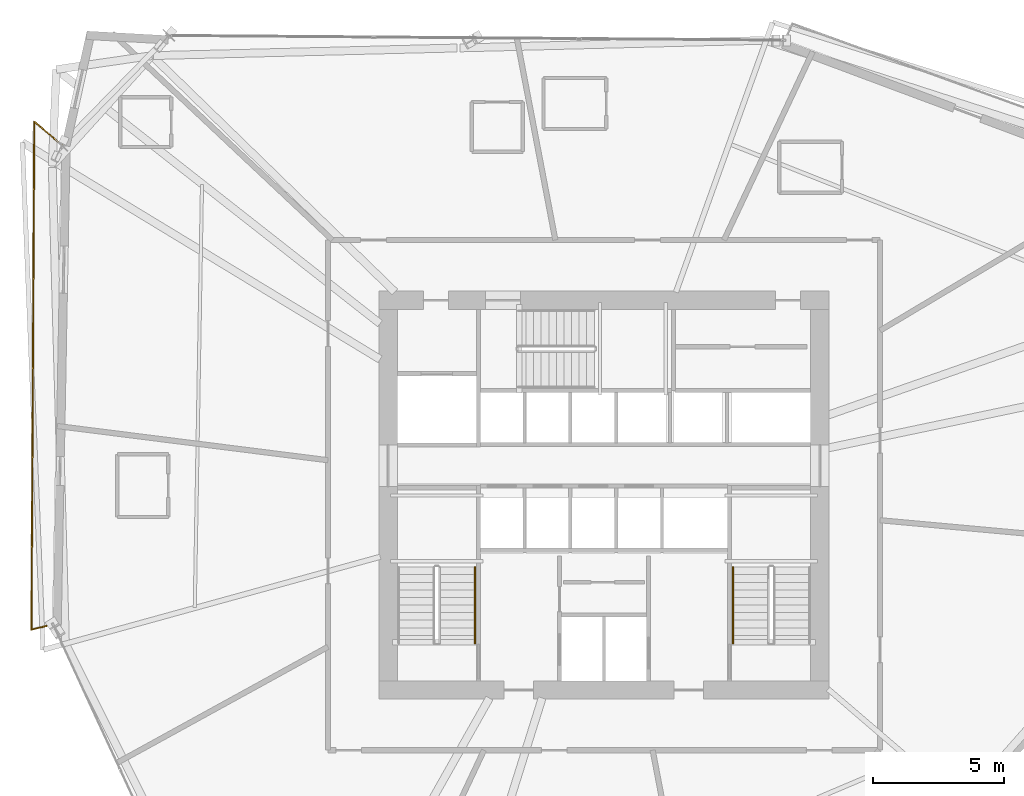
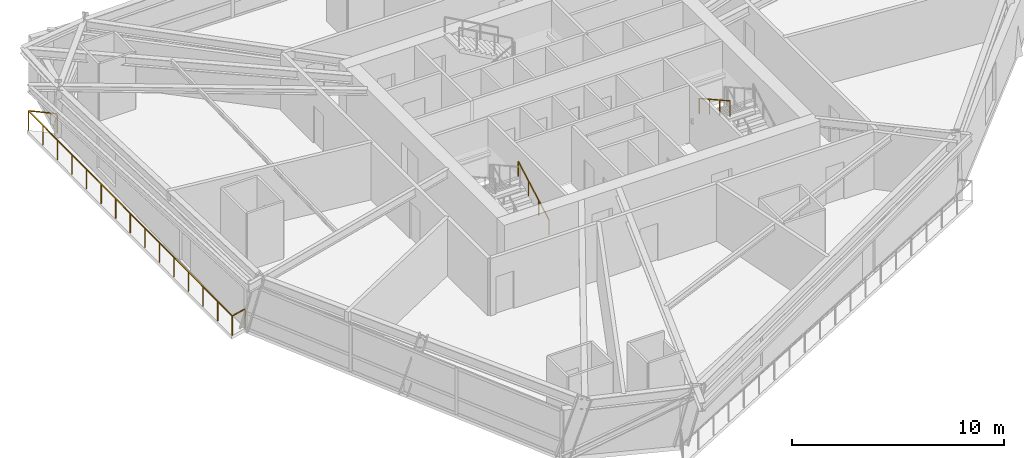
# One storey, part 20 of 22: 3 railings.
"""IFC4 building model written with IfcOpenShell, lengths in metres."""

from ifc_helpers import new_model, si_unit, direction, frame, origin, origin_2d, place, context, subcontext, project, spatial, rectangle, extrude, material, type_object, element, save


model = new_model("IFC4")

# Units and contexts
model_context = context("Model", 3, precision=1e-05, world=origin(), true_north=direction((0.0, 1.0)))
body_context = subcontext(model_context, "Body", "Model", "MODEL_VIEW")
ifc_project = project(units=[si_unit("LENGTHUNIT", "METRE"), si_unit("AREAUNIT", "SQUARE_METRE"), si_unit("VOLUMEUNIT", "CUBIC_METRE"), si_unit("PLANEANGLEUNIT", "RADIAN"), si_unit("MASSUNIT", "GRAM", prefix="KILO")], contexts=[model_context])

# Site, building, storey
site_placement = place(None, origin())
site = spatial("IfcSite", under=ifc_project, at=site_placement, CompositionType="ELEMENT")
building_placement = place(site_placement, origin())
building = spatial("IfcBuilding", under=site, at=building_placement, Name="Olszyna Solenne Hotel", CompositionType="ELEMENT")
storey_placement = place(building_placement, frame((0.0, 0.0, 95.050048828125)))
storey = spatial("IfcBuildingStorey", under=building, at=storey_placement, Name="L24", CompositionType="ELEMENT", Elevation=95.050048828125)

# Railings
ifc_material_1 = material(Name="Anodised bronze aluminium", Category="aluminium")
railing_type_1 = type_object("IfcRailingType", Name="GR-110", PredefinedType="BALUSTRADE", material=ifc_material_1)
railing_1_placement = place(storey_placement, frame((17.278564453125, 39.982421875, 0.0)))
element("IfcRailing", 1, at=railing_1_placement, inside=storey, type_object=railing_type_1, Name="Loggia balcony balustrade guard GR-L24-LG2", PredefinedType="BALUSTRADE", context=body_context, shape_type="SweptSolid", body=[
    extrude(rectangle(XDim=0.048095703125, YDim=0.048095703125, at=origin_2d()), frame((0.0, 0.0, 1.1259765625), z_axis=(-0.762297375152, 0.64722693998, 0.0), x_axis=(-0.64722693998, -0.762297375152, 0.0)), (0.0, 0.0, 1.0), 1.379150390625),
    extrude(rectangle(XDim=0.048095703125, YDim=0.048095703125, at=origin_2d()), frame((-1.05126953125, 0.892578125, 1.1259765625), z_axis=(-0.005595918468, -0.999984342726, 0.0), x_axis=(0.999984342726, -0.005595918468, 0.0)), (0.0, 0.0, 1.0), 19.41455078125),
    extrude(rectangle(XDim=0.048095703125, YDim=0.048095703125, at=origin_2d()), frame((-1.159912109375, -18.521728515625, 1.1259765625), z_axis=(0.972227285219, 0.234038684569, 0.0), x_axis=(-0.234038684569, 0.972227285219, 0.0)), (0.0, 0.0, 1.0), 0.845947265625),
    extrude(rectangle(XDim=0.0419921875, YDim=0.0419921875, at=origin_2d()), origin(), (0.0, 0.0, 1.0), 1.101806640625),
    extrude(rectangle(XDim=0.0419921875, YDim=0.0419921875, at=origin_2d()), frame((-1.05126953125, 0.892578125, 0.0)), (0.0, 0.0, 1.0), 1.101806640625),
    extrude(rectangle(XDim=0.0419921875, YDim=0.0419921875, at=origin_2d()), frame((-1.05908203125, -0.494140625, 0.0)), (0.0, 0.0, 1.0), 1.101806640625),
    extrude(rectangle(XDim=0.0419921875, YDim=0.0419921875, at=origin_2d()), frame((-1.06689453125, -1.880859375, 0.0)), (0.0, 0.0, 1.0), 1.101806640625),
    extrude(rectangle(XDim=0.0419921875, YDim=0.0419921875, at=origin_2d()), frame((-1.074462890625, -3.267578125, 0.0)), (0.0, 0.0, 1.0), 1.101806640625),
    extrude(rectangle(XDim=0.0419921875, YDim=0.0419921875, at=origin_2d()), frame((-1.082275390625, -4.654296875, 0.0)), (0.0, 0.0, 1.0), 1.101806640625),
    extrude(rectangle(XDim=0.0419921875, YDim=0.0419921875, at=origin_2d()), frame((-1.090087890625, -6.041015625, 0.0)), (0.0, 0.0, 1.0), 1.101806640625),
    extrude(rectangle(XDim=0.0419921875, YDim=0.0419921875, at=origin_2d()), frame((-1.097900390625, -7.427734375, 0.0)), (0.0, 0.0, 1.0), 1.101806640625),
    extrude(rectangle(XDim=0.0419921875, YDim=0.0419921875, at=origin_2d()), frame((-1.10546875, -8.814453125, 0.0)), (0.0, 0.0, 1.0), 1.101806640625),
    extrude(rectangle(XDim=0.0419921875, YDim=0.0419921875, at=origin_2d()), frame((-1.11328125, -10.201416015625, 0.0)), (0.0, 0.0, 1.0), 1.101806640625),
    extrude(rectangle(XDim=0.0419921875, YDim=0.0419921875, at=origin_2d()), frame((-1.12109375, -11.588134765625, 0.0)), (0.0, 0.0, 1.0), 1.101806640625),
    extrude(rectangle(XDim=0.0419921875, YDim=0.0419921875, at=origin_2d()), frame((-1.12890625, -12.974853515625, 0.0)), (0.0, 0.0, 1.0), 1.101806640625),
    extrude(rectangle(XDim=0.0419921875, YDim=0.0419921875, at=origin_2d()), frame((-1.13671875, -14.361572265625, 0.0)), (0.0, 0.0, 1.0), 1.101806640625),
    extrude(rectangle(XDim=0.0419921875, YDim=0.0419921875, at=origin_2d()), frame((-1.144287109375, -15.748291015625, 0.0)), (0.0, 0.0, 1.0), 1.101806640625),
    extrude(rectangle(XDim=0.0419921875, YDim=0.0419921875, at=origin_2d()), frame((-1.152099609375, -17.135009765625, 0.0)), (0.0, 0.0, 1.0), 1.101806640625),
    extrude(rectangle(XDim=0.0419921875, YDim=0.0419921875, at=origin_2d()), frame((-1.159912109375, -18.521728515625, 0.0)), (0.0, 0.0, 1.0), 1.101806640625),
    extrude(rectangle(XDim=0.0419921875, YDim=0.0419921875, at=origin_2d()), frame((-0.33740234375, -18.32373046875, 0.0)), (0.0, 0.0, 1.0), 1.101806640625),
])
ifc_material_2 = material(Name="Steel S355J2", Category="steel")
railing_type_2 = type_object("IfcRailingType", Name="HR-090", PredefinedType="HANDRAIL", material=ifc_material_2)
railing_2_placement = place(storey_placement, frame((33.070068359375, 20.949951171875, 0.161376953125)))
element("IfcRailing", 2, at=railing_2_placement, inside=storey, type_object=railing_type_2, Name="L24 ST1 stair handrail 1", PredefinedType="HANDRAIL", context=body_context, shape_type="SweptSolid", body=[
    extrude(rectangle(XDim=0.048095703125, YDim=0.048095703125, at=origin_2d()), frame((0.0, 0.0, 0.8759765625), z_axis=(0.0, 0.873858693841, 0.486179990537), x_axis=(-1.0, 0.0, 0.0)), (0.0, 0.0, 1.0), 3.31884765625),
    extrude(rectangle(XDim=0.0419921875, YDim=0.0419921875, at=origin_2d()), origin(), (0.0, 0.0, 1.0), 0.851806640625),
    extrude(rectangle(XDim=0.0419921875, YDim=0.0419921875, at=origin_2d()), frame((0.0, 0.966796875, 0.537841796875)), (0.0, 0.0, 1.0), 0.851806640625),
    extrude(rectangle(XDim=0.0419921875, YDim=0.0419921875, at=origin_2d()), frame((0.0, 1.933349609375, 1.07568359375)), (0.0, 0.0, 1.0), 0.851806640625),
    extrude(rectangle(XDim=0.0419921875, YDim=0.0419921875, at=origin_2d()), frame((0.0, 2.900146484375, 1.613525390625)), (0.0, 0.0, 1.0), 0.851806640625),
])
railing_3_placement = place(storey_placement, frame((42.929931640625, 23.85009765625, 1.936279296875)))
element("IfcRailing", 3, at=railing_3_placement, inside=storey, type_object=railing_type_2, Name="L24 ST2 stair handrail 2", PredefinedType="HANDRAIL", context=body_context, shape_type="SweptSolid", body=[
    extrude(rectangle(XDim=0.048095703125, YDim=0.048095703125, at=origin_2d()), frame((0.0, 0.0, 0.8759765625), z_axis=(0.0, -0.873827439584, 0.48623616261), x_axis=(1.0, 0.0, 0.0)), (0.0, 0.0, 1.0), 3.31884765625),
    extrude(rectangle(XDim=0.0419921875, YDim=0.0419921875, at=origin_2d()), origin(), (0.0, 0.0, 1.0), 0.851806640625),
    extrude(rectangle(XDim=0.0419921875, YDim=0.0419921875, at=origin_2d()), frame((0.0, -0.966796875, 0.537841796875)), (0.0, 0.0, 1.0), 0.851806640625),
    extrude(rectangle(XDim=0.0419921875, YDim=0.0419921875, at=origin_2d()), frame((0.0, -1.933349609375, 1.075927734375)), (0.0, 0.0, 1.0), 0.851806640625),
    extrude(rectangle(XDim=0.0419921875, YDim=0.0419921875, at=origin_2d()), frame((0.0, -2.900146484375, 1.61376953125)), (0.0, 0.0, 1.0), 0.851806640625),
])

save(model, "model.ifc")
